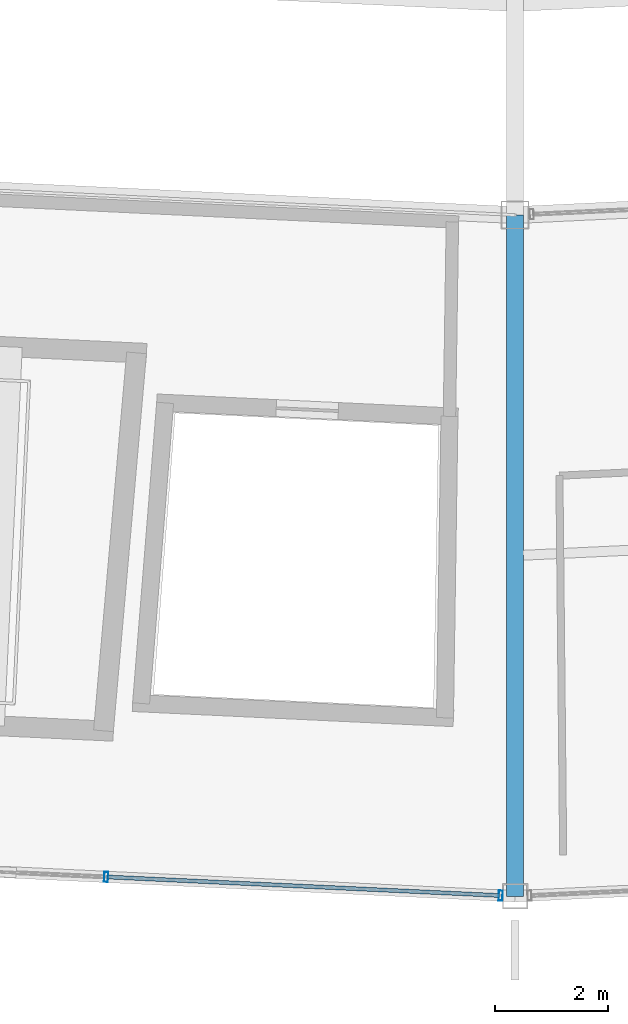
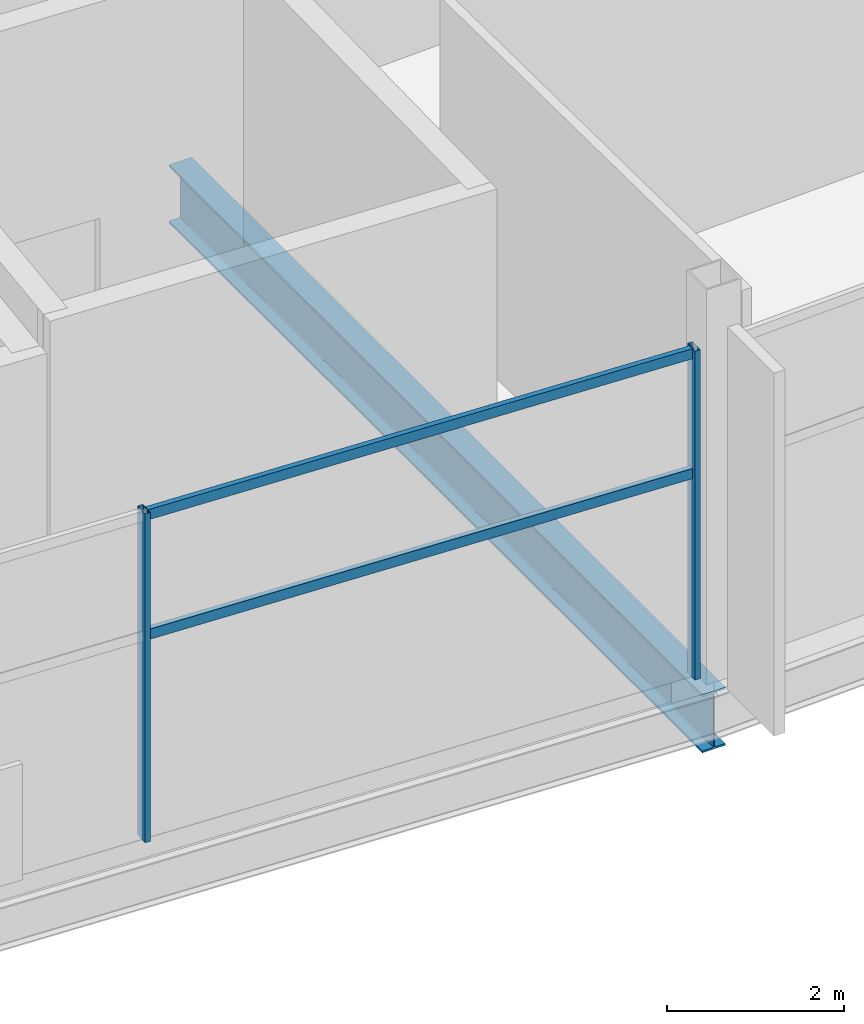
# One storey, part 31 of 186: 4 members, 1 beam, 1 element without a shape of its own.
"""IFC4 building model written with IfcOpenShell, lengths in metres."""

from ifc_helpers import new_model, si_unit, direction, frame, origin, origin_2d, place, context, subcontext, project, spatial, hollow_rectangle, i_section, extrude, material, layer, layer_set, material_profile, profile_set, type_object, element, aggregate, save


model = new_model("IFC4")

# Units and contexts
model_context = context("Model", 3, precision=1e-05, world=origin(), true_north=direction((0.0, 1.0)))
body_context = subcontext(model_context, "Body", "Model", "MODEL_VIEW")
ifc_project = project(units=[si_unit("LENGTHUNIT", "METRE"), si_unit("AREAUNIT", "SQUARE_METRE"), si_unit("VOLUMEUNIT", "CUBIC_METRE"), si_unit("PLANEANGLEUNIT", "RADIAN"), si_unit("MASSUNIT", "GRAM", prefix="KILO")], contexts=[model_context])

# Site, building, storey
site_placement = place(None, origin())
site = spatial("IfcSite", under=ifc_project, at=site_placement, CompositionType="ELEMENT")
building_placement = place(site_placement, origin())
building = spatial("IfcBuilding", under=site, at=building_placement, Name="Kazemori Nagisa Stadium", CompositionType="ELEMENT")
storey_placement = place(building_placement, frame((0.0, 0.0, 20.39990234375)))
storey = spatial("IfcBuildingStorey", under=building, at=storey_placement, Name="L04", CompositionType="ELEMENT", Elevation=20.39990234375)

# Beam
ifc_material_1 = material(Name="Steel SN490B", Category="steel")
ifc_material_profile_1 = material_profile(ifc_material_1, i_section(OverallWidth=0.300048828125, OverallDepth=0.800048828125, WebThickness=0.013916015625, FlangeThickness=0.02587890625, FilletRadius=0.01806640625, at=origin_2d()), Name="H-800x300x14x26")
ifc_profile_set_1 = profile_set([ifc_material_profile_1], Name="Steel SN490B")
beam_type = type_object("IfcBeamType", Name="Beam_BG-H800", PredefinedType="BEAM", material=ifc_profile_set_1)
beam_placement = place(storey_placement, frame((123.0, 28.0400390625, -0.699951171875), z_axis=(0.0, -1.0, 0.0), x_axis=(1.0, 0.0, 0.0)))
element("IfcBeam", 1, at=beam_placement, inside=storey, type_object=beam_type, Name="Radial girder BG-H800 L04 R2-R3-22", PredefinedType="BEAM", context=body_context, shape_type="SweptSolid", body=[
    extrude(i_section(OverallWidth=0.300048828125, OverallDepth=0.800048828125, WebThickness=0.013916015625, FlangeThickness=0.02587890625, FilletRadius=0.01806640625, at=origin_2d()), origin(), (0.0, 0.0, 1.0), 12.0400390625),
])

# Curtain wall, members
ifc_material_2 = material(Name="Anodised aluminium 6063-T5", Category="aluminium")
ifc_layer = layer(ifc_material_2, 0.179931640625, Name="Anodised aluminium 6063-T5", Category="aluminium")
ifc_layer_set = layer_set([ifc_layer], Name="Anodised aluminium 6063-T5")
curtain_wall_type = type_object("IfcCurtainWallType", Name="CW_L04R3_105", PredefinedType="USERDEFINED", material=ifc_layer_set)
curtain_wall_placement = place(storey_placement, origin())
curtain_wall = element("IfcCurtainWall", 2, at=curtain_wall_placement, inside=storey, type_object=curtain_wall_type, Name="Unitised curtain wall CW-L04R3-105 L04", ObjectType="UNITISED CURTAIN WALL", PredefinedType="USERDEFINED")
ifc_material_3 = material(Name="Aluminium 6063-T5 anodised", Category="aluminium")
ifc_material_profile_2 = material_profile(ifc_material_3, hollow_rectangle(XDim=0.070068359375, YDim=0.179931640625, WallThickness=0.00390625, at=origin_2d()), Name="ALU-MULL-70x180x4")
ifc_profile_set_2 = profile_set([ifc_material_profile_2], Name="Aluminium 6063-T5 anodised")
member_type_1 = type_object("IfcMemberType", Name="Mullion_M01", PredefinedType="MULLION", material=ifc_profile_set_2)
member_1_placement = place(storey_placement, frame((115.7724609375, 16.341796875, 0.0), z_axis=(0.0, 0.0, 1.0), x_axis=(0.998884022476, -0.047230388971, 0.0)))
member_1 = element("IfcMember", 3, at=member_1_placement, type_object=member_type_1, Name="Curtain wall mullion CW-L04R3-105-M3", PredefinedType="MULLION", context=body_context, shape_type="SweptSolid", body=[
    extrude(hollow_rectangle(XDim=0.070068359375, YDim=0.179931640625, WallThickness=0.00390625, at=origin_2d()), origin(), (0.0, 0.0, 1.0), 4.530029296875),
])
member_2_placement = place(storey_placement, frame((122.745361328125, 16.011962890625, 0.0), z_axis=(0.0, 0.0, 1.0), x_axis=(0.998884022476, -0.047230388971, 0.0)))
member_2 = element("IfcMember", 4, at=member_2_placement, type_object=member_type_1, Name="Curtain wall mullion CW-L04R3-105-M4", PredefinedType="MULLION", context=body_context, shape_type="SweptSolid", body=[
    extrude(hollow_rectangle(XDim=0.070068359375, YDim=0.179931640625, WallThickness=0.00390625, at=origin_2d()), origin(), (0.0, 0.0, 1.0), 4.530029296875),
])
ifc_material_profile_3 = material_profile(ifc_material_3, hollow_rectangle(XDim=0.070068359375, YDim=0.139892578125, WallThickness=0.00390625, at=origin_2d()), Name="ALU-TRAN-70x140x4")
ifc_profile_set_3 = profile_set([ifc_material_profile_3], Name="Aluminium 6063-T5 anodised")
member_type_2 = type_object("IfcMemberType", Name="Transom_T01", PredefinedType="USERDEFINED", material=ifc_profile_set_3)
member_3_placement = place(storey_placement, frame((115.79248046875, 16.3408203125, 2.80859375), z_axis=(0.998883524201, -0.047240925908, 0.0), x_axis=(0.047240925908, 0.998883524201, 0.0)))
member_3 = element("IfcMember", 5, at=member_3_placement, type_object=member_type_2, Name="Curtain wall transom CW-L04R3-105-T3-mid", ObjectType="TRANSOM", PredefinedType="USERDEFINED", context=body_context, shape_type="SweptSolid", body=[
    extrude(hollow_rectangle(XDim=0.070068359375, YDim=0.139892578125, WallThickness=0.00390625, at=origin_2d()), origin(), (0.0, 0.0, 1.0), 6.940673828125),
])
member_4_placement = place(storey_placement, frame((115.79248046875, 16.3408203125, 4.460205078125), z_axis=(0.998883524201, -0.047240925908, 0.0), x_axis=(0.047240925908, 0.998883524201, 0.0)))
member_4 = element("IfcMember", 6, at=member_4_placement, type_object=member_type_2, Name="Curtain wall transom CW-L04R3-105-T3-head", ObjectType="TRANSOM", PredefinedType="USERDEFINED", context=body_context, shape_type="SweptSolid", body=[
    extrude(hollow_rectangle(XDim=0.070068359375, YDim=0.139892578125, WallThickness=0.00390625, at=origin_2d()), origin(), (0.0, 0.0, 1.0), 6.940673828125),
])
aggregate(curtain_wall, [member_1, member_2, member_3, member_4])

save(model, "model.ifc")
